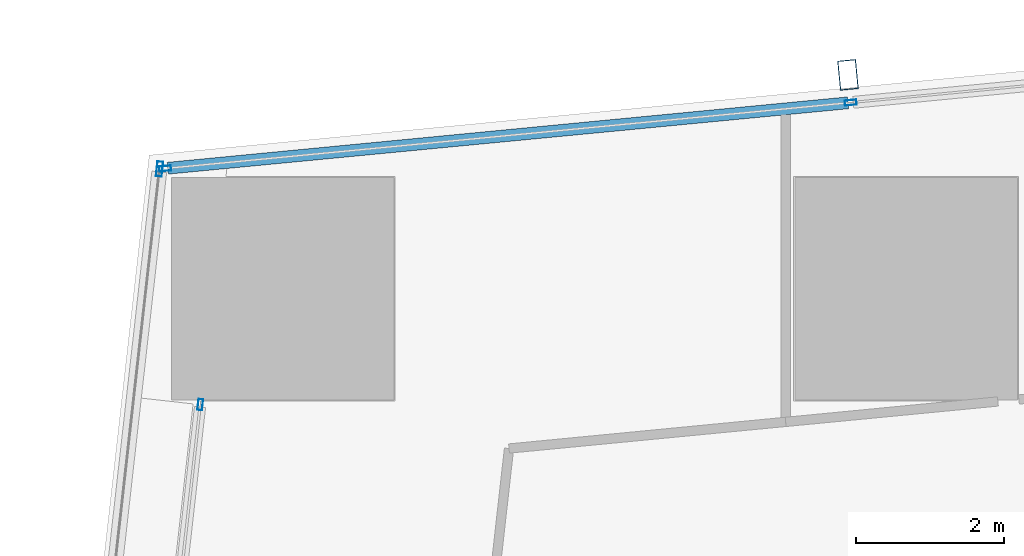
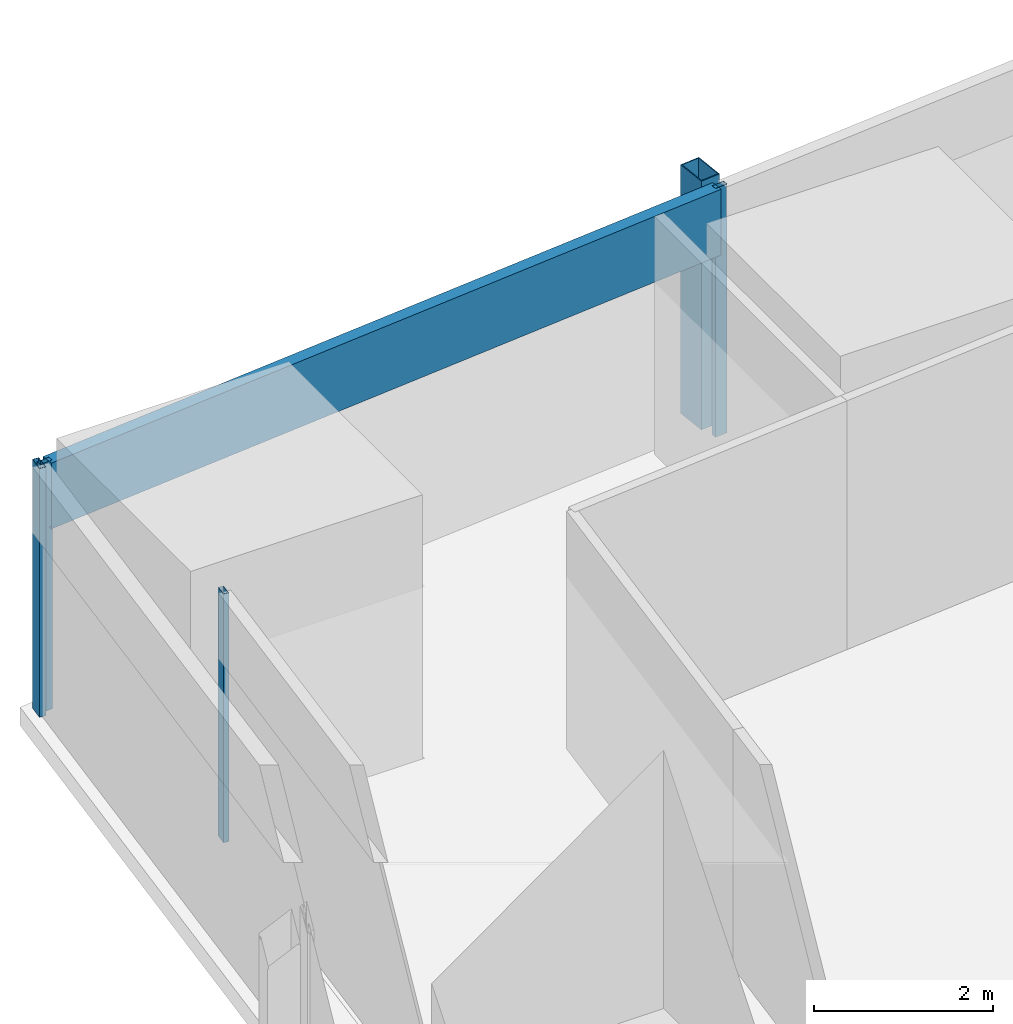
# One storey, part 16 of 44: 6 members, 3 elements without a shape of their own.
"""IFC4 building model written with IfcOpenShell, lengths in metres."""

from ifc_helpers import new_model, si_unit, direction, frame, origin, origin_2d, place, context, subcontext, project, spatial, hollow_rectangle, extrude, material, material_profile, profile_set, type_object, element, aggregate, save


model = new_model("IFC4")

# Units and contexts
model_context = context("Model", 3, precision=1e-05, world=origin(), true_north=direction((0.0, 1.0)))
body_context = subcontext(model_context, "Body", "Model", "MODEL_VIEW")
ifc_project = project(units=[si_unit("LENGTHUNIT", "METRE"), si_unit("AREAUNIT", "SQUARE_METRE"), si_unit("VOLUMEUNIT", "CUBIC_METRE"), si_unit("PLANEANGLEUNIT", "RADIAN"), si_unit("MASSUNIT", "GRAM", prefix="KILO")], contexts=[model_context])

# Site, building, storey
site_placement = place(None, origin())
site = spatial("IfcSite", under=ifc_project, at=site_placement, CompositionType="ELEMENT")
building_placement = place(site_placement, origin())
building = spatial("IfcBuilding", under=site, at=building_placement, Name="Rekha Terrace Tower", CompositionType="ELEMENT")
storey_placement = place(building_placement, frame((0.0, 0.0, 81.64990234375)))
storey = spatial("IfcBuildingStorey", under=building, at=storey_placement, Name="L20", CompositionType="ELEMENT", Elevation=81.64990234375)

# Curtain wall, member
ifc_material_1 = material(Name="Aluminium framing", Category="aluminium")
curtain_wall_type_1 = type_object("IfcCurtainWallType", Name="CW3 north unitised glazing", PredefinedType="USERDEFINED", material=ifc_material_1)
curtain_wall_1_placement = place(storey_placement, origin())
curtain_wall_1 = element("IfcCurtainWall", 1, at=curtain_wall_1_placement, inside=storey, type_object=curtain_wall_type_1, Name="CW3 unitised curtain wall", ObjectType="UNITISED CURTAIN WALL", PredefinedType="USERDEFINED")
ifc_material_2 = material(Name="Steel S355 with fluorocarbon finish", Category="steel")
ifc_material_profile_1 = material_profile(ifc_material_2, hollow_rectangle(XDim=0.25, YDim=0.39990234375, WallThickness=0.012451171875, at=origin_2d()), Name="RHS400x250x12.5")
ifc_profile_set_1 = profile_set([ifc_material_profile_1], Name="Steel S355 with fluorocarbon finish")
member_type_1 = type_object("IfcMemberType", Name="BL1 facade blade RHS 400 x 250", PredefinedType="USERDEFINED", material=ifc_profile_set_1)
member_1_placement = place(storey_placement, frame((16.01708984375, 61.681396484375, 0.0), z_axis=(0.0, 0.0, 1.0), x_axis=(-0.995409070123, -0.095711980009, 0.0)))
member_1 = element("IfcMember", 2, at=member_1_placement, type_object=member_type_1, Name="Facade blade", ObjectType="FACADE BLADE", PredefinedType="USERDEFINED", context=body_context, shape_type="SweptSolid", body=[
    extrude(hollow_rectangle(XDim=0.25, YDim=0.39990234375, WallThickness=0.012451171875, at=origin_2d()), origin(), (0.0, 0.0, 1.0), 3.400146484375),
])

curtain_wall_type_2 = type_object("IfcCurtainWallType", Name="CW1 double skin inner glazing", PredefinedType="USERDEFINED", material=ifc_material_1)
curtain_wall_2_placement = place(storey_placement, origin())
curtain_wall_2 = element("IfcCurtainWall", 3, at=curtain_wall_2_placement, inside=storey, type_object=curtain_wall_type_2, Name="CW1 double skin inner glazing", ObjectType="DOUBLE SKIN INNER GLAZING", PredefinedType="USERDEFINED")
ifc_material_3 = material(Name="Aluminium mullion section", Category="aluminium")
ifc_material_profile_2 = material_profile(ifc_material_3, hollow_rectangle(XDim=0.06494140625, YDim=0.14990234375, WallThickness=0.00390625, at=origin_2d()), Name="AL RHS 65x150")
ifc_profile_set_2 = profile_set([ifc_material_profile_2], Name="Aluminium mullion section")
member_type_2 = type_object("IfcMemberType", Name="CW1 mullion RHS 65 x 150", PredefinedType="MULLION", material=ifc_profile_set_2)
member_2_placement = place(storey_placement, frame((7.28857421875, 57.2373046875, 0.0), z_axis=(0.0, 0.0, 1.0), x_axis=(0.993738615524, -0.111729870748, 0.0)))
member_2 = element("IfcMember", 4, at=member_2_placement, type_object=member_type_2, Name="CW1 mullion 1", PredefinedType="MULLION", context=body_context, shape_type="SweptSolid", body=[
    extrude(hollow_rectangle(XDim=0.06494140625, YDim=0.14990234375, WallThickness=0.00390625, at=origin_2d()), origin(), (0.0, 0.0, 1.0), 3.400146484375),
])
aggregate(curtain_wall_2, [member_2])

curtain_wall_type_3 = type_object("IfcCurtainWallType", Name="CW2 double skin outer glazing", PredefinedType="USERDEFINED", material=ifc_material_1)
curtain_wall_3_placement = place(storey_placement, origin())
curtain_wall_3 = element("IfcCurtainWall", 5, at=curtain_wall_3_placement, inside=storey, type_object=curtain_wall_type_3, Name="CW2 double skin outer glazing", ObjectType="DOUBLE SKIN OUTER GLAZING", PredefinedType="USERDEFINED")
ifc_material_profile_3 = material_profile(ifc_material_3, hollow_rectangle(XDim=0.080078125, YDim=0.199951171875, WallThickness=0.00390625, at=origin_2d()), Name="AL RHS 80x200")
ifc_profile_set_3 = profile_set([ifc_material_profile_3], Name="Aluminium mullion section")
member_type_3 = type_object("IfcMemberType", Name="CW2 mullion RHS 80 x 200", PredefinedType="MULLION", material=ifc_profile_set_3)
member_3_placement = place(storey_placement, frame((6.739990234375, 60.413330078125, 0.0), z_axis=(0.0, 0.0, 1.0), x_axis=(0.99373861552, -0.111729870782, 0.0)))
member_3 = element("IfcMember", 6, at=member_3_placement, type_object=member_type_3, Name="CW2 mullion 1", PredefinedType="MULLION", context=body_context, shape_type="SweptSolid", body=[
    extrude(hollow_rectangle(XDim=0.080078125, YDim=0.199951171875, WallThickness=0.00390625, at=origin_2d()), origin(), (0.0, 0.0, 1.0), 3.400146484375),
])
aggregate(curtain_wall_3, [member_3])

# Member
ifc_material_profile_4 = material_profile(ifc_material_3, hollow_rectangle(XDim=0.070068359375, YDim=0.159912109375, WallThickness=0.00390625, at=origin_2d()), Name="AL RHS 70x160")
ifc_profile_set_4 = profile_set([ifc_material_profile_4], Name="Aluminium mullion section")
member_type_4 = type_object("IfcMemberType", Name="CW3 mullion RHS 70 x 160", PredefinedType="MULLION", material=ifc_profile_set_4)
member_4_placement = place(storey_placement, frame((16.052978515625, 61.30810546875, 0.0), z_axis=(0.0, 0.0, 1.0), x_axis=(0.095712406625, -0.995409029102, 0.0)))
member_4 = element("IfcMember", 7, at=member_4_placement, type_object=member_type_4, Name="CW3 mullion 2", PredefinedType="MULLION", context=body_context, shape_type="SweptSolid", body=[
    extrude(hollow_rectangle(XDim=0.070068359375, YDim=0.159912109375, WallThickness=0.00390625, at=origin_2d()), origin(), (0.0, 0.0, 1.0), 3.400146484375),
])

member_5_placement = place(storey_placement, frame((6.8154296875, 60.419677734375, 0.0), z_axis=(0.0, 0.0, 1.0), x_axis=(0.095712406625, -0.995409029102, 0.0)))
member_5 = element("IfcMember", 8, at=member_5_placement, type_object=member_type_4, Name="CW3 mullion 3", PredefinedType="MULLION", context=body_context, shape_type="SweptSolid", body=[
    extrude(hollow_rectangle(XDim=0.070068359375, YDim=0.159912109375, WallThickness=0.00390625, at=origin_2d()), origin(), (0.0, 0.0, 1.0), 3.400146484375),
])

ifc_material_4 = material(Name="Insulated aluminium spandrel box", Category="aluminium")
ifc_material_profile_5 = material_profile(ifc_material_4, hollow_rectangle(XDim=0.159912109375, YDim=0.89990234375, WallThickness=0.0029296875, at=origin_2d()), Name="AL SPANDREL BOX 160x900")
ifc_profile_set_5 = profile_set([ifc_material_profile_5], Name="Insulated aluminium spandrel box")
member_type_5 = type_object("IfcMemberType", Name="CW3 spandrel transom 160 x 900", PredefinedType="USERDEFINED", material=ifc_profile_set_5)
member_6_placement = place(storey_placement, frame((16.018310546875, 61.3046875, 2.9501953125), z_axis=(-0.995408446287, -0.095718467713, 0.0), x_axis=(0.095718467713, -0.995408446287, 0.0)))
member_6 = element("IfcMember", 9, at=member_6_placement, type_object=member_type_5, Name="CW3 spandrel transom 2", ObjectType="TRANSOM", PredefinedType="USERDEFINED", context=body_context, shape_type="SweptSolid", body=[
    extrude(hollow_rectangle(XDim=0.159912109375, YDim=0.89990234375, WallThickness=0.0029296875, at=origin_2d()), origin(), (0.0, 0.0, 1.0), 9.210205078125),
])

aggregate(curtain_wall_1, [member_4, member_5, member_6, member_1])

save(model, "model.ifc")
